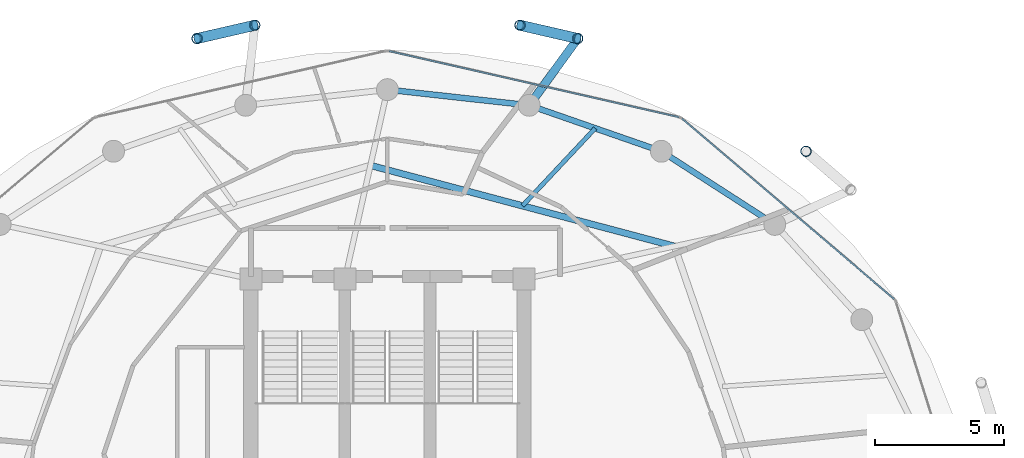
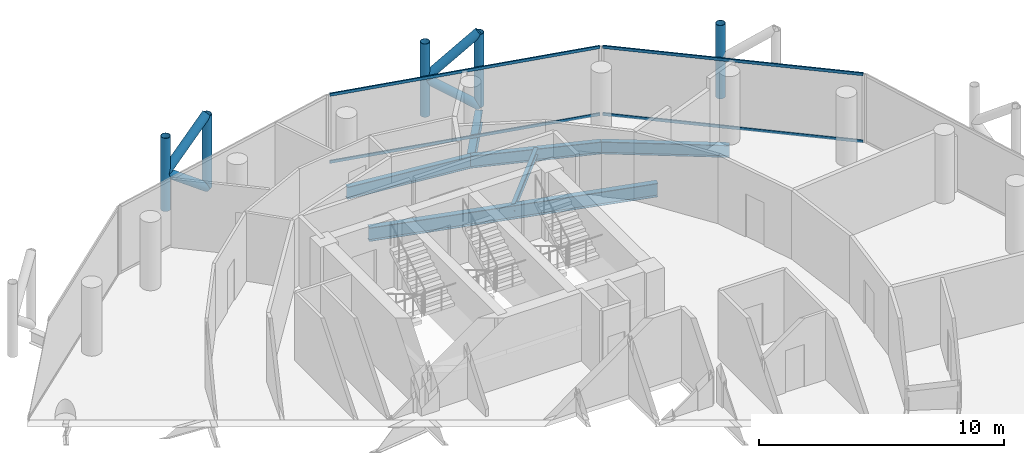
# One storey, part 20 of 27: 13 members, 6 beams, 2 elements without a shape of their own.
"""IFC4 building model written with IfcOpenShell, lengths in metres."""

from ifc_helpers import new_model, si_unit, direction, frame, origin, origin_2d, place, context, subcontext, project, spatial, hollow_rectangle, hollow_circle, i_section, extrude, material, layer, layer_set, material_profile, profile_set, type_object, element, aggregate, save


model = new_model("IFC4")

# Units and contexts
model_context = context("Model", 3, precision=1e-05, world=origin(), true_north=direction((0.0, 1.0)))
body_context = subcontext(model_context, "Body", "Model", "MODEL_VIEW")
ifc_project = project(units=[si_unit("LENGTHUNIT", "METRE"), si_unit("AREAUNIT", "SQUARE_METRE"), si_unit("VOLUMEUNIT", "CUBIC_METRE"), si_unit("PLANEANGLEUNIT", "RADIAN"), si_unit("MASSUNIT", "GRAM", prefix="KILO")], contexts=[model_context])

# Site, building, storey
site_placement = place(None, origin())
site = spatial("IfcSite", under=ifc_project, at=site_placement, CompositionType="ELEMENT")
building_placement = place(site_placement, origin())
building = spatial("IfcBuilding", under=site, at=building_placement, Name="Nuhasar Tower", CompositionType="ELEMENT")
storey_placement = place(building_placement, frame((0.0, 0.0, 241.0)))
storey = spatial("IfcBuildingStorey", under=building, at=storey_placement, Name="L59", CompositionType="ELEMENT", Elevation=241.0)

# Beams
ifc_material_1 = material(Name="Steel S355", Category="steel")
ifc_material_profile_1 = material_profile(ifc_material_1, i_section(OverallWidth=0.25390625, OverallDepth=0.68408203125, WebThickness=0.012451171875, FlangeThickness=0.018798828125, at=origin_2d()), Name="W27X94")
ifc_profile_set_1 = profile_set([ifc_material_profile_1], Name="Steel S355")
beam_type_1 = type_object("IfcBeamType", Name="BM-INRING-W27X94", PredefinedType="BEAM", material=ifc_profile_set_1)
beam_1_placement = place(storey_placement, frame((50.135986328125, 38.572998046875, -0.58203125), z_axis=(-0.966410333243, 0.257004022929, 0.0), x_axis=(-0.257004022929, -0.966410333243, 0.0)))
element("IfcBeam", 1, at=beam_1_placement, inside=storey, type_object=beam_type_1, Name="L59 Inner Header Beam 05", PredefinedType="BEAM", context=body_context, shape_type="SweptSolid", body=[
    extrude(i_section(OverallWidth=0.25390625, OverallDepth=0.68408203125, WebThickness=0.012451171875, FlangeThickness=0.018798828125, at=origin_2d()), origin(), (0.0, 0.0, 1.0), 12.205810546875),
])
ifc_material_profile_2 = material_profile(ifc_material_1, i_section(OverallWidth=0.1708984375, OverallDepth=0.35205078125, WebThickness=0.0068359375, FlangeThickness=0.009765625, at=origin_2d()), Name="W14X30")
ifc_profile_set_2 = profile_set([ifc_material_profile_2], Name="Steel S355")
beam_type_2 = type_object("IfcBeamType", Name="BM-JST-W14X30", PredefinedType="JOIST", material=ifc_profile_set_2)
beam_2_placement = place(storey_placement, frame((44.238037109375, 40.14208984375, -0.416015625), z_axis=(0.684358245116, 0.729145933501, 0.0), x_axis=(-0.729145933501, 0.684358245116, 0.0)))
element("IfcBeam", 2, at=beam_2_placement, inside=storey, type_object=beam_type_2, Name="L59 Secondary Floor Joist 05", PredefinedType="JOIST", context=body_context, shape_type="SweptSolid", body=[
    extrude(i_section(OverallWidth=0.1708984375, OverallDepth=0.35205078125, WebThickness=0.0068359375, FlangeThickness=0.009765625, at=origin_2d()), origin(), (0.0, 0.0, 1.0), 4.12646484375),
])
ifc_material_profile_3 = material_profile(ifc_material_1, i_section(OverallWidth=0.22802734375, OverallDepth=0.60791015625, WebThickness=0.01123046875, FlangeThickness=0.017333984375, at=origin_2d()), Name="W24X76")
ifc_profile_set_3 = profile_set([ifc_material_profile_3], Name="Steel S355")
beam_type_3 = type_object("IfcBeamType", Name="BM-RING-W24X76", PredefinedType="SPANDREL", material=ifc_profile_set_3)
beam_3_placement = place(storey_placement, frame((54.02587890625, 39.422119140625, -0.5439453125), z_axis=(-0.840502144969, 0.541808217272, 0.0), x_axis=(-0.541808217272, -0.840502144969, 0.0)))
element("IfcBeam", 3, at=beam_3_placement, inside=storey, type_object=beam_type_3, Name="L59 Perimeter Ring Spandrel 04", PredefinedType="SPANDREL", context=body_context, shape_type="SweptSolid", body=[
    extrude(i_section(OverallWidth=0.22802734375, OverallDepth=0.60791015625, WebThickness=0.01123046875, FlangeThickness=0.017333984375, at=origin_2d()), origin(), (0.0, 0.0, 1.0), 5.236083984375),
])
beam_4_placement = place(storey_placement, frame((49.625, 42.259033203125, -0.5439453125), z_axis=(-0.944476764686, 0.328578211342, 0.0), x_axis=(-0.328578211342, -0.944476764686, 0.0)))
element("IfcBeam", 4, at=beam_4_placement, inside=storey, type_object=beam_type_3, Name="L59 Perimeter Ring Spandrel 05", PredefinedType="SPANDREL", context=body_context, shape_type="SweptSolid", body=[
    extrude(i_section(OverallWidth=0.22802734375, OverallDepth=0.60791015625, WebThickness=0.01123046875, FlangeThickness=0.017333984375, at=origin_2d()), origin(), (0.0, 0.0, 1.0), 5.42626953125),
])
beam_5_placement = place(storey_placement, frame((44.5, 44.0419921875, -0.5439453125), z_axis=(-0.993947060915, 0.109860093292, 0.0), x_axis=(-0.109860093292, -0.993947060915, 0.0)))
element("IfcBeam", 5, at=beam_5_placement, inside=storey, type_object=beam_type_3, Name="L59 Perimeter Ring Spandrel 06", PredefinedType="SPANDREL", context=body_context, shape_type="SweptSolid", body=[
    extrude(i_section(OverallWidth=0.22802734375, OverallDepth=0.60791015625, WebThickness=0.01123046875, FlangeThickness=0.017333984375, at=origin_2d()), origin(), (0.0, 0.0, 1.0), 5.533447265625),
])
ifc_material_profile_4 = material_profile(ifc_material_1, i_section(OverallWidth=0.323974609375, OverallDepth=0.611083984375, WebThickness=0.0126953125, FlangeThickness=0.01904296875, at=origin_2d()), Name="W24X104")
ifc_profile_set_4 = profile_set([ifc_material_profile_4], Name="Steel S355")
beam_type_4 = type_object("IfcBeamType", Name="BM-TIE-W24X104", PredefinedType="BEAM", material=ifc_profile_set_4)
beam_6_placement = place(storey_placement, frame((44.5, 44.0419921875, -0.5458984375), z_axis=(0.588094663461, 0.808792103577, 0.0), x_axis=(-0.808792103577, 0.588094663461, 0.0)))
element("IfcBeam", 6, at=beam_6_placement, inside=storey, type_object=beam_type_4, Name="L59 Exoskeleton Node Tie Beam 03", PredefinedType="BEAM", context=body_context, shape_type="SweptSolid", body=[
    extrude(i_section(OverallWidth=0.323974609375, OverallDepth=0.611083984375, WebThickness=0.0126953125, FlangeThickness=0.01904296875, at=origin_2d()), origin(), (0.0, 0.0, 1.0), 3.20361328125),
])

# Curtain wall, members
ifc_material_2 = material(Name="Aluminium 6063-T6", Category="aluminium")
ifc_layer = layer(ifc_material_2, 0.18994140625)
ifc_layer_set = layer_set([ifc_layer], Name="Aluminium 6063-T6")
curtain_wall_type = type_object("IfcCurtainWallType", Name="CW-Z3-RES", PredefinedType="NOTDEFINED", material=ifc_layer_set)
curtain_wall_1_placement = place(storey_placement, origin())
curtain_wall_1 = element("IfcCurtainWall", 7, at=curtain_wall_1_placement, inside=storey, type_object=curtain_wall_type, Name="L59 Unitised Curtain Wall 02", PredefinedType="NOTDEFINED")
ifc_material_profile_5 = material_profile(ifc_material_2, hollow_rectangle(XDim=0.06494140625, YDim=0.139892578125, WallThickness=0.00439453125, at=origin_2d()), Name="CWT-4")
ifc_profile_set_5 = profile_set([ifc_material_profile_5], Name="Aluminium 6063-T6")
member_type_1 = type_object("IfcMemberType", Name="CW-TRN-S4", PredefinedType="USERDEFINED", material=ifc_profile_set_5)
member_1_placement = place(storey_placement, frame((58.661376953125, 36.522216796875, 0.032470703125), z_axis=(-0.761730809511, 0.647893643928, 0.0), x_axis=(-0.647893643928, -0.761730809511, 0.0)))
member_1 = element("IfcMember", 8, at=member_1_placement, type_object=member_type_1, Name="CW-Z3 transom 1.1", ObjectType="TRANSOM", PredefinedType="USERDEFINED", context=body_context, shape_type="SweptSolid", body=[
    extrude(hollow_rectangle(XDim=0.06494140625, YDim=0.139892578125, WallThickness=0.00439453125, at=origin_2d()), origin(), (0.0, 0.0, 1.0), 10.806884765625),
])
member_2_placement = place(storey_placement, frame((58.661376953125, 36.522216796875, 3.37744140625), z_axis=(-0.761730809511, 0.647893643928, 0.0), x_axis=(-0.647893643928, -0.761730809511, 0.0)))
member_2 = element("IfcMember", 9, at=member_2_placement, type_object=member_type_1, Name="CW-Z3 transom 1.2", ObjectType="TRANSOM", PredefinedType="USERDEFINED", context=body_context, shape_type="SweptSolid", body=[
    extrude(hollow_rectangle(XDim=0.06494140625, YDim=0.139892578125, WallThickness=0.00439453125, at=origin_2d()), origin(), (0.0, 0.0, 1.0), 10.806884765625),
])
aggregate(curtain_wall_1, [member_1, member_2])

curtain_wall_2_placement = place(storey_placement, origin())
curtain_wall_2 = element("IfcCurtainWall", 10, at=curtain_wall_2_placement, inside=storey, type_object=curtain_wall_type, Name="L59 Unitised Curtain Wall 03", PredefinedType="NOTDEFINED")
member_3_placement = place(storey_placement, frame((50.316650390625, 43.58056640625, 0.032470703125), z_axis=(-0.974994070913, 0.222230874732, 0.0), x_axis=(-0.222230874732, -0.974994070913, 0.0)))
member_3 = element("IfcMember", 11, at=member_3_placement, type_object=member_type_1, Name="CW-Z3 transom 1.1", ObjectType="TRANSOM", PredefinedType="USERDEFINED", context=body_context, shape_type="SweptSolid", body=[
    extrude(hollow_rectangle(XDim=0.06494140625, YDim=0.139892578125, WallThickness=0.00439453125, at=origin_2d()), origin(), (0.0, 0.0, 1.0), 11.541748046875),
])
member_4_placement = place(storey_placement, frame((50.316650390625, 43.58056640625, 3.37744140625), z_axis=(-0.974994070913, 0.222230874732, 0.0), x_axis=(-0.222230874732, -0.974994070913, 0.0)))
member_4 = element("IfcMember", 12, at=member_4_placement, type_object=member_type_1, Name="CW-Z3 transom 1.2", ObjectType="TRANSOM", PredefinedType="USERDEFINED", context=body_context, shape_type="SweptSolid", body=[
    extrude(hollow_rectangle(XDim=0.06494140625, YDim=0.139892578125, WallThickness=0.00439453125, at=origin_2d()), origin(), (0.0, 0.0, 1.0), 11.541748046875),
])
aggregate(curtain_wall_2, [member_3, member_4])

# Members
ifc_material_3 = material(Name="Steel S460", Category="steel")
ifc_material_profile_6 = material_profile(ifc_material_3, hollow_circle(Radius=0.203125, WallThickness=0.01904296875, at=origin_2d()), Name="HSS406.4X19.1")
ifc_profile_set_6 = profile_set([ifc_material_profile_6], Name="Steel S460")
member_type_2 = type_object("IfcMemberType", Name="EXO-BRONZE-406", PredefinedType="BRACE", material=ifc_profile_set_6)
for number, where, z_axis, x_axis, name in (
    (13, (55.239990234375, 42.257080078125, 0.0), (0.0, 0.0, 1.0), (1.0, 0.0, 0.0), "L59 Exoskeleton Chord Column EC-02B"),
    (14, (46.384033203125, 46.633056640625, 0.0), (0.0, 0.0, 1.0), (1.0, 0.0, 0.0), "L59 Exoskeleton Chord Column EC-03A"),
    (15, (44.14306640625, 47.14892578125, 0.0), (0.0, 0.0, 1.0), (1.0, 0.0, 0.0), "L59 Exoskeleton Chord Column EC-03B"),
    (16, (33.85693359375, 47.14892578125, 0.0), (0.0, 0.0, 1.0), (1.0, 0.0, 0.0), "L59 Exoskeleton Chord Column EC-04A"),
    (17, (31.615966796875, 46.633056640625, 0.0), (0.0, 0.0, 1.0), (1.0, 0.0, 0.0), "L59 Exoskeleton Chord Column EC-04B"),
):
    element("IfcMember", number, at=place(storey_placement, frame(where, z_axis=z_axis, x_axis=x_axis)), inside=storey, type_object=member_type_2, Name=name, PredefinedType="BRACE", context=body_context, shape_type="SweptSolid", body=[
        extrude(hollow_circle(Radius=0.203125, WallThickness=0.01904296875, at=origin_2d()), origin(), (0.0, 0.0, 1.0), 3.64990234375),
    ])
for number, where, z_axis, x_axis, name in (
    (18, (46.384033203125, 46.633056640625, 0.0), (-0.763342741922, 0.175721016852, 0.621634927101), (-0.224332214284, -0.974512728308, 0.0), "L59 Bronze Diagrid Brace W1-03"),
    (19, (44.14306640625, 47.14892578125, 1.824951171875), (0.763342741922, -0.175721016852, 0.621634927101), (0.224332214284, 0.974512728308, 0.0), "L59 Bronze Diagrid Brace W2-03"),
    (20, (33.85693359375, 47.14892578125, 0.0), (-0.763342741922, -0.175721016852, 0.621634927101), (0.224332214284, -0.974512728308, 0.0), "L59 Bronze Diagrid Brace W1-04"),
    (21, (31.615966796875, 46.633056640625, 1.824951171875), (0.763342741922, 0.175721016852, 0.621634927101), (-0.224332214284, 0.974512728308, 0.0), "L59 Bronze Diagrid Brace W2-04"),
):
    element("IfcMember", number, at=place(storey_placement, frame(where, z_axis=z_axis, x_axis=x_axis)), inside=storey, type_object=member_type_2, Name=name, PredefinedType="BRACE", context=body_context, shape_type="SweptSolid", body=[
        extrude(hollow_circle(Radius=0.203125, WallThickness=0.01904296875, at=origin_2d()), origin(), (0.0, 0.0, 1.0), 2.935791015625),
    ])

save(model, "model.ifc")
